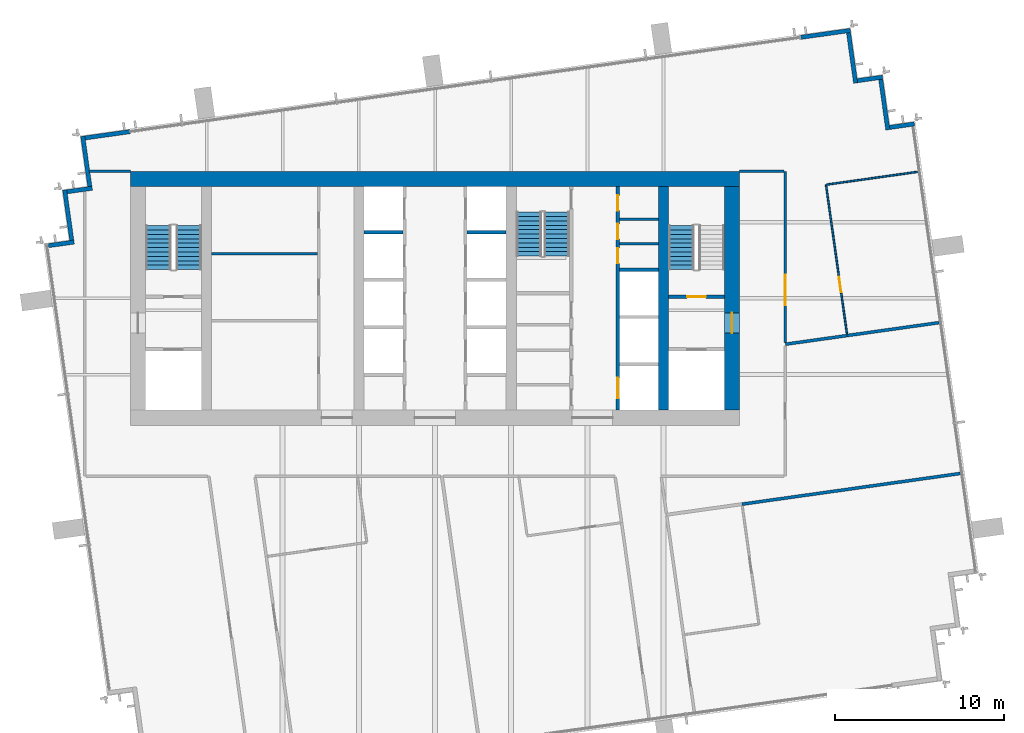
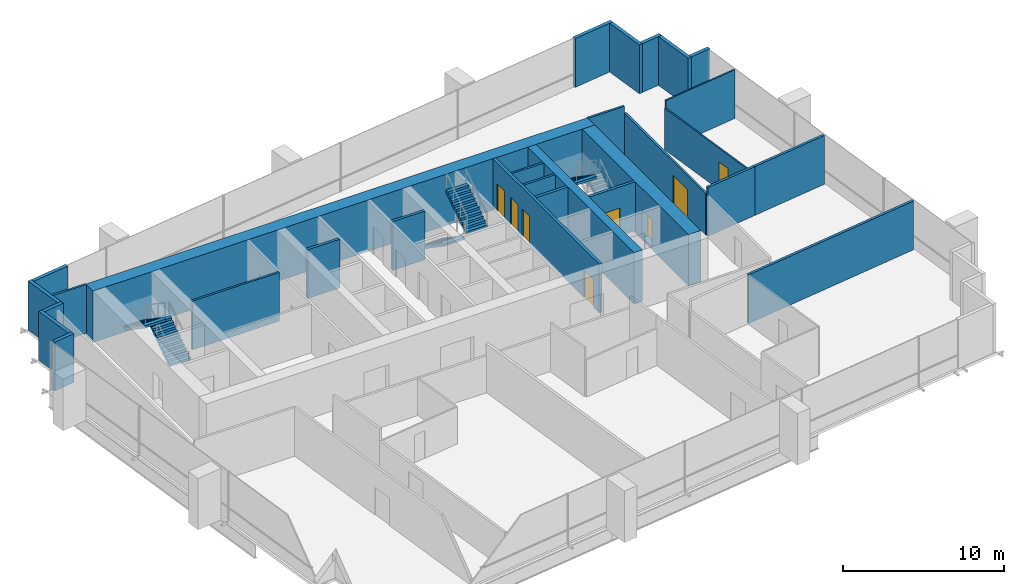
# One storey, part 11 of 13: 29 walls, 8 doors, 5 stair flights, 8 openings, 3 elements without a shape of their own.
"""IFC4 building model written with IfcOpenShell, lengths in metres."""

from ifc_helpers import new_model, si_unit, direction, frame, frame_2d, origin, place, context, subcontext, project, spatial, polyline, rectangle, outline, extrude, material, layer, layer_set, type_object, element, fill, aggregate, save


model = new_model("IFC4")

# Units and contexts
model_context = context("Model", 3, precision=1e-05, world=origin(), true_north=direction((0.0, 1.0)))
body_context = subcontext(model_context, "Body", "Model", "MODEL_VIEW")
ifc_project = project(units=[si_unit("LENGTHUNIT", "METRE"), si_unit("AREAUNIT", "SQUARE_METRE"), si_unit("VOLUMEUNIT", "CUBIC_METRE"), si_unit("PLANEANGLEUNIT", "RADIAN"), si_unit("MASSUNIT", "GRAM", prefix="KILO")], contexts=[model_context])

# Site, building, storey
site_placement = place(None, origin())
site = spatial("IfcSite", under=ifc_project, at=site_placement, CompositionType="ELEMENT")
building_placement = place(site_placement, origin())
building = spatial("IfcBuilding", under=site, at=building_placement, Name="Rattan Terrace Tower", CompositionType="ELEMENT")
storey_placement = place(building_placement, frame((0.0, 0.0, 240.800048828125)))
storey = spatial("IfcBuildingStorey", under=building, at=storey_placement, Name="L55", CompositionType="ELEMENT", Elevation=240.800048828125)

# Walls
ifc_material_1 = material(Name="Gypsum board partition")
ifc_layer_1 = layer(ifc_material_1, 0.14990234375)
ifc_layer_set_1 = layer_set([ifc_layer_1], Name="Core partition 150")
wall_type_1 = type_object("IfcWallType", Name="Core partition 150", PredefinedType="PARTITIONING", material=ifc_layer_set_1)
wall_1_placement = place(storey_placement, frame((-13.199951171875, 2.639892578125, 0.0), z_axis=(0.0, 0.0, 1.0), x_axis=(1.0, 0.0, 0.0)))
element("IfcWall", 1, at=wall_1_placement, inside=storey, type_object=wall_type_1, Name="Core room wall", PredefinedType="PARTITIONING", context=body_context, shape_type="SweptSolid", body=[
    extrude(rectangle(XDim=6.25, YDim=0.14990234375, at=frame_2d((3.125, 0.0))), origin(), (0.0, 0.0, 1.0), 3.699951171875),
])
for number, where, z_axis, x_axis, name in (
    (2, (10.89990234375, 3.239990234375, 0.0), (0.0, 0.0, 1.0), (1.0, 0.0, 0.0), "Riser room wall"),
    (3, (10.89990234375, 4.679931640625, 0.0), (0.0, 0.0, 1.0), (1.0, 0.0, 0.0), "Riser room wall"),
):
    element("IfcWall", number, at=place(storey_placement, frame(where, z_axis=z_axis, x_axis=x_axis)), inside=storey, type_object=wall_type_1, Name=name, PredefinedType="PARTITIONING", context=body_context, shape_type="SweptSolid", body=[
        extrude(rectangle(XDim=2.300048828125, YDim=0.14990234375, at=frame_2d((1.14990234375, 0.0))), origin(), (0.0, 0.0, 1.0), 3.699951171875),
    ])

# Wall, opening, door
ifc_material_2 = material(Name="Gypsum board partition")
ifc_layer_2 = layer(ifc_material_2, 0.199951171875)
ifc_layer_set_2 = layer_set([ifc_layer_2], Name="Core partition 200")
wall_type_2 = type_object("IfcWallType", Name="Core partition 200", PredefinedType="PARTITIONING", material=ifc_layer_set_2)
wall_2_placement = place(storey_placement, frame((13.800048828125, 0.10009765625, 0.0), z_axis=(0.0, 0.0, 1.0), x_axis=(1.0, 0.0, 0.0)))
wall_2 = element("IfcWall", 4, at=wall_2_placement, inside=storey, type_object=wall_type_2, Name="Stair enclosure wall", PredefinedType="PARTITIONING", context=body_context, shape_type="SweptSolid", body=[
    extrude(rectangle(XDim=3.300048828125, YDim=0.199951171875, at=frame_2d((1.64990234375, 0.0))), origin(), (0.0, 0.0, 1.0), 3.699951171875),
])
opening_1_placement = place(wall_2_placement, frame((1.10009765625, 0.0, 0.0)))
opening_1 = element("IfcOpeningElement", 5, at=opening_1_placement, cuts=wall_2, Name="Opening L55-D004", PredefinedType="OPENING", context=body_context, shape_type="SweptSolid", body=[
    extrude(rectangle(XDim=1.10009765625, YDim=2.10009765625, at=frame_2d((0.550048828125, 1.050048828125))), frame((0.0, 0.110595703125, 0.0), z_axis=(0.0, -1.0, 0.0), x_axis=(1.0, 0.0, 0.0)), (0.0, 0.0, 1.0), 0.220947265625),
])
ifc_material_3 = material(Name="Hollow-metal fire door leaf")
door_type_1 = type_object("IfcDoorType", Name="Core stair door 1100", OperationType="NOTDEFINED", PredefinedType="DOOR", material=ifc_material_3)
door_1_placement = place(opening_1_placement, origin())
door_1 = element("IfcDoor", 6, at=door_1_placement, inside=storey, type_object=door_type_1, Name="Door L55-D004", OperationType="SINGLE_SWING_LEFT", OverallHeight=2.10009765625, OverallWidth=1.10009765625, PredefinedType="DOOR", context=body_context, shape_type="SweptSolid", body=[
    extrude(rectangle(XDim=1.10009765625, YDim=2.10009765625, at=frame_2d((0.550048828125, 1.050048828125))), frame((0.0, 0.02490234375, 0.0), z_axis=(0.0, -1.0, 0.0), x_axis=(1.0, 0.0, 0.0)), (0.0, 0.0, 1.0), 0.050048828125),
])
fill(opening_1, door_1)

# Wall
ifc_material_4 = material(Name="Concrete C50/60", Category="concrete")
ifc_layer_3 = layer(ifc_material_4, 0.89990234375)
ifc_layer_set_3 = layer_set([ifc_layer_3], Name="Core ring wall 900 C50/60")
wall_type_3 = type_object("IfcWallType", Name="Core ring wall 900 C50/60", PredefinedType="SHEAR", material=ifc_layer_set_3)
wall_3_placement = place(storey_placement, frame((-18.0, 7.050048828125, -0.199951171875), z_axis=(0.0, 0.0, 1.0), x_axis=(1.0, 0.0, 0.0)))
element("IfcWall", 7, at=wall_3_placement, inside=storey, type_object=wall_type_3, Name="Rear core wall north", PredefinedType="SHEAR", context=body_context, shape_type="SweptSolid", body=[
    extrude(rectangle(XDim=36.0, YDim=0.89990234375, at=frame_2d((18.0, 0.0))), origin(), (0.0, 0.0, 1.0), 3.89990234375),
])

# Wall, opening, door
wall_4_placement = place(storey_placement, frame((17.550048828125, -6.60009765625, -0.199951171875), z_axis=(0.0, 0.0, 1.0), x_axis=(0.0, 1.0, 0.0)))
wall_4 = element("IfcWall", 8, at=wall_4_placement, inside=storey, type_object=wall_type_3, Name="Rear core wall east", PredefinedType="SHEAR", context=body_context, shape_type="SweptSolid", body=[
    extrude(rectangle(XDim=13.2001953125, YDim=0.89990234375, at=frame_2d((6.60009765625, 0.0))), origin(), (0.0, 0.0, 1.0), 3.89990234375),
])
opening_2_placement = place(wall_4_placement, frame((4.550048828125, 0.0, 0.199951171875)))
opening_2 = element("IfcOpeningElement", 9, at=opening_2_placement, cuts=wall_4, Name="Opening L55-D003", PredefinedType="OPENING", context=body_context, shape_type="SweptSolid", body=[
    extrude(rectangle(XDim=1.199951171875, YDim=2.10009765625, at=frame_2d((0.60009765625, 1.050048828125))), frame((0.0, 0.46044921875, 0.0), z_axis=(0.0, -1.0, 0.0), x_axis=(1.0, 0.0, 0.0)), (0.0, 0.0, 1.0), 0.9208984375),
])
ifc_material_5 = material(Name="Hollow-metal fire door leaf")
door_type_2 = type_object("IfcDoorType", Name="Core fire-fighting lobby door 1200", OperationType="NOTDEFINED", PredefinedType="DOOR", material=ifc_material_5)
door_2_placement = place(opening_2_placement, origin())
door_2 = element("IfcDoor", 10, at=door_2_placement, inside=storey, type_object=door_type_2, Name="Door L55-D003", OperationType="SINGLE_SWING_RIGHT", OverallHeight=2.10009765625, OverallWidth=1.199951171875, PredefinedType="DOOR", context=body_context, shape_type="SweptSolid", body=[
    extrude(rectangle(XDim=1.199951171875, YDim=2.10009765625, at=frame_2d((0.60009765625, 1.050048828125))), frame((0.0, 0.02490234375, 0.0), z_axis=(0.0, -1.0, 0.0), x_axis=(1.0, 0.0, 0.0)), (0.0, 0.0, 1.0), 0.050048828125),
])
fill(opening_2, door_2)

# Walls
ifc_material_6 = material(Name="Concrete C50/60", Category="concrete")
ifc_layer_4 = layer(ifc_material_6, 0.60009765625)
ifc_layer_set_4 = layer_set([ifc_layer_4], Name="Core spine wall 600 C50/60")
wall_type_4 = type_object("IfcWallType", Name="Core spine wall 600 C50/60", PredefinedType="SHEAR", material=ifc_layer_set_4)
wall_5_placement = place(storey_placement, frame((13.5, -6.60009765625, -0.199951171875), z_axis=(0.0, 0.0, 1.0), x_axis=(0.0, 1.0, 0.0)))
element("IfcWall", 11, at=wall_5_placement, inside=storey, type_object=wall_type_4, Name="Core spine wall 4", PredefinedType="SHEAR", context=body_context, shape_type="SweptSolid", body=[
    extrude(rectangle(XDim=13.2001953125, YDim=0.60009765625, at=frame_2d((6.60009765625, 0.0))), origin(), (0.0, 0.0, 1.0), 3.89990234375),
])
ifc_material_7 = material(Name="Insulated aluminium-clad stud wall", Category="aluminium")
ifc_layer_5 = layer(ifc_material_7, 0.25)
ifc_layer_set_5 = layer_set([ifc_layer_5], Name="Facade Riser Wall 250")
wall_type_5 = type_object("IfcWallType", Name="Facade Riser Wall 250", PredefinedType="SOLIDWALL", material=ifc_layer_set_5)
wall_6_placement = place(storey_placement, frame((28.322265625, 10.308837890625, 0.0), z_axis=(0.0, 0.0, 1.0), x_axis=(-0.990235520307, -0.13940449893, 0.0)))
element("IfcWall", 12, at=wall_6_placement, inside=storey, type_object=wall_type_5, Name="Riser wall L55-6", PredefinedType="SOLIDWALL", context=body_context, shape_type="SweptSolid", body=[
    extrude(rectangle(XDim=1.474609375, YDim=0.25, at=frame_2d((0.7373046875, 0.0))), origin(), (0.0, 0.0, 1.0), 3.699951171875),
])
wall_7_placement = place(storey_placement, frame((26.755859375, 9.962158203125, 0.0), z_axis=(0.0, 0.0, 1.0), x_axis=(-0.139393225799, 0.990237107263, 0.0)))
element("IfcWall", 13, at=wall_7_placement, inside=storey, type_object=wall_type_5, Name="Riser wall L55-7", PredefinedType="SOLIDWALL", context=body_context, shape_type="SweptSolid", body=[
    extrude(rectangle(XDim=3.000244140625, YDim=0.25, at=frame_2d((1.5, 0.0))), origin(), (0.0, 0.0, 1.0), 3.699951171875),
])
wall_8_placement = place(storey_placement, frame((26.444091796875, 13.074462890625, 0.0), z_axis=(0.0, 0.0, 1.0), x_axis=(-0.990240434918, -0.139369584395, 0.0)))
element("IfcWall", 14, at=wall_8_placement, inside=storey, type_object=wall_type_5, Name="Riser wall L55-8", PredefinedType="SOLIDWALL", context=body_context, shape_type="SweptSolid", body=[
    extrude(rectangle(XDim=1.49951171875, YDim=0.25, at=frame_2d((0.749755859375, 0.0))), origin(), (0.0, 0.0, 1.0), 3.699951171875),
])
wall_9_placement = place(storey_placement, frame((24.852783203125, 12.72412109375, 0.0), z_axis=(0.0, 0.0, 1.0), x_axis=(-0.139302206688, 0.990249915532, 0.0)))
element("IfcWall", 15, at=wall_9_placement, inside=storey, type_object=wall_type_5, Name="Riser wall L55-9", PredefinedType="SOLIDWALL", context=body_context, shape_type="SweptSolid", body=[
    extrude(rectangle(XDim=3.00048828125, YDim=0.25, at=frame_2d((1.500244140625, 0.0))), origin(), (0.0, 0.0, 1.0), 3.699951171875),
])
wall_10_placement = place(storey_placement, frame((24.541015625, 15.83642578125, 0.0), z_axis=(0.0, 0.0, 1.0), x_axis=(-0.990285396533, -0.139049751574, 0.0)))
element("IfcWall", 16, at=wall_10_placement, inside=storey, type_object=wall_type_5, Name="Riser wall L55-10", PredefinedType="SOLIDWALL", context=body_context, shape_type="SweptSolid", body=[
    extrude(rectangle(XDim=2.955078125, YDim=0.25, at=frame_2d((1.4775390625, 0.0))), origin(), (0.0, 0.0, 1.0), 3.699951171875),
])
wall_11_placement = place(storey_placement, frame((-17.995361328125, 9.858642578125, 0.0), z_axis=(0.0, 0.0, 1.0), x_axis=(-0.99024510326, -0.139336411139, 0.0)))
element("IfcWall", 17, at=wall_11_placement, inside=storey, type_object=wall_type_5, Name="Riser wall L55-11", PredefinedType="SOLIDWALL", context=body_context, shape_type="SweptSolid", body=[
    extrude(rectangle(XDim=2.705322265625, YDim=0.25, at=frame_2d((1.3525390625, 0.0))), origin(), (0.0, 0.0, 1.0), 3.699951171875),
])
wall_12_placement = place(storey_placement, frame((-20.8154296875, 9.588134765625, 0.0), z_axis=(0.0, 0.0, 1.0), x_axis=(0.138983028379, -0.9902947631, 0.0)))
element("IfcWall", 18, at=wall_12_placement, inside=storey, type_object=wall_type_5, Name="Riser wall L55-12", PredefinedType="SOLIDWALL", context=body_context, shape_type="SweptSolid", body=[
    extrude(rectangle(XDim=3.000244140625, YDim=0.25, at=frame_2d((1.5, 0.0))), origin(), (0.0, 0.0, 1.0), 3.699951171875),
])
wall_13_placement = place(storey_placement, frame((-20.25732421875, 6.510498046875, 0.0), z_axis=(0.0, 0.0, 1.0), x_axis=(-0.990330117064, -0.138730887823, 0.0)))
element("IfcWall", 19, at=wall_13_placement, inside=storey, type_object=wall_type_5, Name="Riser wall L55-13", PredefinedType="SOLIDWALL", context=body_context, shape_type="SweptSolid", body=[
    extrude(rectangle(XDim=1.499267578125, YDim=0.25, at=frame_2d((0.74951171875, 0.0))), origin(), (0.0, 0.0, 1.0), 3.699951171875),
])
wall_14_placement = place(storey_placement, frame((-21.88330078125, 6.408935546875, 0.0), z_axis=(0.0, 0.0, 1.0), x_axis=(0.139324658755, -0.990246756855, 0.0)))
element("IfcWall", 20, at=wall_14_placement, inside=storey, type_object=wall_type_5, Name="Riser wall L55-14", PredefinedType="SOLIDWALL", context=body_context, shape_type="SweptSolid", body=[
    extrude(rectangle(XDim=3.0, YDim=0.25, at=frame_2d((1.5, 0.0))), origin(), (0.0, 0.0, 1.0), 3.699951171875),
])
wall_15_placement = place(storey_placement, frame((-21.32421875, 3.331787109375, 0.0), z_axis=(0.0, 0.0, 1.0), x_axis=(-0.990238641016, -0.139382329723, 0.0)))
element("IfcWall", 21, at=wall_15_placement, inside=storey, type_object=wall_type_5, Name="Riser wall L55-15", PredefinedType="SOLIDWALL", context=body_context, shape_type="SweptSolid", body=[
    extrude(rectangle(XDim=1.525634765625, YDim=0.25, at=frame_2d((0.7626953125, 0.0))), origin(), (0.0, 0.0, 1.0), 3.699951171875),
])
ifc_material_8 = material(Name="Double steel stud acoustic partition, gypsum board, mineral wool, fire rated", Category="steel")
ifc_layer_6 = layer(ifc_material_8, 0.179931640625)
ifc_layer_set_6 = layer_set([ifc_layer_6], Name="Floors Acoustic Party Wall 180")
wall_type_6 = type_object("IfcWallType", Name="Floors Acoustic Party Wall 180", PredefinedType="PARTITIONING", material=ifc_layer_set_6)
wall_16_placement = place(storey_placement, frame((18.14111328125, -12.156982421875, 0.0), z_axis=(0.0, 0.0, 1.0), x_axis=(0.99026760598, 0.139176393637, 0.0)))
element("IfcWall", 22, at=wall_16_placement, inside=storey, type_object=wall_type_6, Name="pt-L55-022", PredefinedType="PARTITIONING", context=body_context, shape_type="SweptSolid", body=[
    extrude(rectangle(XDim=13.01953125, YDim=0.179931640625, at=frame_2d((6.509765625, 0.0))), origin(), (0.0, 0.0, 1.0), 3.699951171875),
])
wall_17_placement = place(storey_placement, frame((20.698974609375, -2.7080078125, 0.0), z_axis=(0.0, 0.0, 1.0), x_axis=(0.990268752824, 0.139168233375, 0.0)))
element("IfcWall", 23, at=wall_17_placement, inside=storey, type_object=wall_type_6, Name="pt-L55-024", PredefinedType="PARTITIONING", context=body_context, shape_type="SweptSolid", body=[
    extrude(rectangle(XDim=3.671630859375, YDim=0.179931640625, at=frame_2d((1.8359375, 0.0))), origin(), (0.0, 0.0, 1.0), 3.699951171875),
])
wall_18_placement = place(storey_placement, frame((24.3359375, -2.197021484375, 0.0), z_axis=(0.0, 0.0, 1.0), x_axis=(0.990274457527, 0.139127634818, 0.0)))
element("IfcWall", 24, at=wall_18_placement, inside=storey, type_object=wall_type_6, Name="pt-L55-025", PredefinedType="PARTITIONING", context=body_context, shape_type="SweptSolid", body=[
    extrude(rectangle(XDim=5.49951171875, YDim=0.179931640625, at=frame_2d((2.749755859375, 0.0))), origin(), (0.0, 0.0, 1.0), 3.699951171875),
])

# Wall, opening, door
ifc_material_9 = material(Name="Gypsum board partition on steel studs", Category="steel")
ifc_layer_7 = layer(ifc_material_9, 0.10009765625)
ifc_layer_set_7 = layer_set([ifc_layer_7], Name="Floors Partition 100")
wall_type_7 = type_object("IfcWallType", Name="Floors Partition 100", PredefinedType="PARTITIONING", material=ifc_layer_set_7)
wall_19_placement = place(storey_placement, frame((23.10205078125, 6.718017578125, 0.0), z_axis=(0.0, 0.0, 1.0), x_axis=(0.139172960551, -0.990268088475, 0.0)))
wall_19 = element("IfcWall", 25, at=wall_19_placement, inside=storey, type_object=wall_type_7, Name="pt-L55-026", PredefinedType="PARTITIONING", context=body_context, shape_type="SweptSolid", body=[
    extrude(rectangle(XDim=8.90966796875, YDim=0.10009765625, at=frame_2d((4.454833984375, 0.0))), origin(), (0.0, 0.0, 1.0), 3.14990234375),
])
opening_3_placement = place(wall_19_placement, frame((5.507080078125, 0.0, 0.0)))
opening_3 = element("IfcOpeningElement", 26, at=opening_3_placement, cuts=wall_19, Name="Opening L55-D105", PredefinedType="OPENING", context=body_context, shape_type="SweptSolid", body=[
    extrude(rectangle(XDim=0.89990234375, YDim=2.10009765625, at=frame_2d((0.449951171875, 1.050048828125))), frame((0.0, 0.060546875, 0.0), z_axis=(0.0, -1.0, 0.0), x_axis=(1.0, 0.0, 0.0)), (0.0, 0.0, 1.0), 0.12109375),
])
ifc_material_10 = material(Name="Solid core timber door, painted", Category="wood")
door_type_3 = type_object("IfcDoorType", Name="Floors Door 900x2100", OperationType="NOTDEFINED", PredefinedType="DOOR", material=ifc_material_10)
door_3_placement = place(opening_3_placement, origin())
door_3 = element("IfcDoor", 27, at=door_3_placement, inside=storey, type_object=door_type_3, Name="d-L55-105", OperationType="SINGLE_SWING_RIGHT", OverallHeight=2.10009765625, OverallWidth=0.89990234375, PredefinedType="DOOR", context=body_context, shape_type="SweptSolid", body=[
    extrude(rectangle(XDim=0.89990234375, YDim=2.10009765625, at=frame_2d((0.449951171875, 1.050048828125))), frame((0.0, 0.02490234375, 0.0), z_axis=(0.0, -1.0, 0.0), x_axis=(1.0, 0.0, 0.0)), (0.0, 0.0, 1.0), 0.050048828125),
])
fill(opening_3, door_3)

# Walls
wall_20_placement = place(storey_placement, frame((28.528076171875, 7.47998046875, 0.0), z_axis=(0.0, 0.0, 1.0), x_axis=(-0.990284853007, -0.139053622411, 0.0)))
element("IfcWall", 28, at=wall_20_placement, inside=storey, type_object=wall_type_7, Name="pt-L55-027", PredefinedType="PARTITIONING", context=body_context, shape_type="SweptSolid", body=[
    extrude(rectangle(XDim=5.4287109375, YDim=0.10009765625, at=frame_2d((2.71435546875, 0.0))), origin(), (0.0, 0.0, 1.0), 3.699951171875),
])
ifc_material_11 = material(Name="Gypsum board partition on steel studs, fire rated", Category="steel")
ifc_layer_8 = layer(ifc_material_11, 0.14990234375)
ifc_layer_set_8 = layer_set([ifc_layer_8], Name="Floors Tenancy Wall 150")
wall_type_8 = type_object("IfcWallType", Name="Floors Tenancy Wall 150", PredefinedType="PARTITIONING", material=ifc_layer_set_8)
wall_21_placement = place(storey_placement, frame((-20.430908203125, 7.5, 0.0), z_axis=(0.0, 0.0, 1.0), x_axis=(1.0, 0.0, 0.0)))
element("IfcWall", 29, at=wall_21_placement, inside=storey, type_object=wall_type_8, Name="pt-L55-009", PredefinedType="PARTITIONING", context=body_context, shape_type="SweptSolid", body=[
    extrude(rectangle(XDim=2.430908203125, YDim=0.14990234375, at=frame_2d((1.21533203125, 0.0))), origin(), (0.0, 0.0, 1.0), 3.699951171875),
])
wall_22_placement = place(storey_placement, frame((18.0, 7.5009765625, 0.0), z_axis=(0.0, 0.0, 1.0), x_axis=(1.0, 0.0, 0.0)))
element("IfcWall", 30, at=wall_22_placement, inside=storey, type_object=wall_type_8, Name="pt-L55-010", PredefinedType="PARTITIONING", context=body_context, shape_type="SweptSolid", body=[
    extrude(rectangle(XDim=2.625, YDim=0.14990234375, at=frame_2d((1.3125, 0.0))), origin(), (0.0, 0.0, 1.0), 3.699951171875),
])

# Wall, opening, door
wall_23_placement = place(storey_placement, frame((20.699951171875, 7.5, 0.0), z_axis=(0.0, 0.0, 1.0), x_axis=(0.0, -1.0, 0.0)))
wall_23 = element("IfcWall", 31, at=wall_23_placement, inside=storey, type_object=wall_type_8, Name="pt-L55-011", PredefinedType="PARTITIONING", context=body_context, shape_type="SweptSolid", body=[
    extrude(rectangle(XDim=10.10595703125, YDim=0.14990234375, at=frame_2d((5.052978515625, 0.0))), origin(), (0.0, 0.0, 1.0), 3.14990234375),
])
opening_4_placement = place(wall_23_placement, frame((6.10498046875, 0.0, 0.0)))
opening_4 = element("IfcOpeningElement", 32, at=opening_4_placement, cuts=wall_23, Name="Opening L55-D104", PredefinedType="OPENING", context=body_context, shape_type="SweptSolid", body=[
    extrude(rectangle(XDim=1.800048828125, YDim=2.10009765625, at=frame_2d((0.89990234375, 1.050048828125))), frame((0.0, 0.08544921875, 0.0), z_axis=(0.0, -1.0, 0.0), x_axis=(1.0, 0.0, 0.0)), (0.0, 0.0, 1.0), 0.1708984375),
])
ifc_material_12 = material(Name="Steel fire door set", Category="steel")
door_type_4 = type_object("IfcDoorType", Name="Floors Fire Door Pair FD30S 1800x2100", OperationType="NOTDEFINED", PredefinedType="DOOR", material=ifc_material_12)
door_4_placement = place(opening_4_placement, origin())
door_4 = element("IfcDoor", 33, at=door_4_placement, inside=storey, type_object=door_type_4, Name="d-L55-104", OperationType="DOUBLE_DOOR_SINGLE_SWING", OverallHeight=2.10009765625, OverallWidth=1.800048828125, PredefinedType="DOOR", context=body_context, shape_type="SweptSolid", body=[
    extrude(rectangle(XDim=1.800048828125, YDim=2.10009765625, at=frame_2d((0.89990234375, 1.050048828125))), frame((0.0, 0.02490234375, 0.0), z_axis=(0.0, -1.0, 0.0), x_axis=(1.0, 0.0, 0.0)), (0.0, 0.0, 1.0), 0.050048828125),
])
fill(opening_4, door_4)

# Walls
ifc_material_13 = material(Name="Gypsum shaft wall system")
ifc_layer_9 = layer(ifc_material_13, 0.199951171875)
ifc_layer_set_9 = layer_set([ifc_layer_9], Name="Lift shaft wall 200")
wall_type_9 = type_object("IfcWallType", Name="Lift shaft wall 200", PredefinedType="PARTITIONING", material=ifc_layer_set_9)
for number, where, z_axis, x_axis, name in (
    (34, (-4.199951171875, 3.89990234375, 0.0), (0.0, 0.0, 1.0), (1.0, 0.0, 0.0), "Lift shaft wall"),
    (35, (1.89990234375, 3.89990234375, 0.0), (0.0, 0.0, 1.0), (1.0, 0.0, 0.0), "Lift shaft wall"),
):
    element("IfcWall", number, at=place(storey_placement, frame(where, z_axis=z_axis, x_axis=x_axis)), inside=storey, type_object=wall_type_9, Name=name, PredefinedType="PARTITIONING", context=body_context, shape_type="SweptSolid", body=[
        extrude(rectangle(XDim=2.300048828125, YDim=0.199951171875, at=frame_2d((1.14990234375, 0.0))), origin(), (0.0, 0.0, 1.0), 3.699951171875),
    ])

# Wall, openings, doors
wall_24_placement = place(storey_placement, frame((10.800048828125, -6.60009765625, 0.0), z_axis=(0.0, 0.0, 1.0), x_axis=(0.0, 1.0, 0.0)))
wall_24 = element("IfcWall", 36, at=wall_24_placement, inside=storey, type_object=wall_type_9, Name="Lift shaft front wall", PredefinedType="PARTITIONING", context=body_context, shape_type="SweptSolid", body=[
    extrude(rectangle(XDim=13.2001953125, YDim=0.199951171875, at=frame_2d((6.60009765625, 0.0))), origin(), (0.0, 0.0, 1.0), 3.699951171875),
])
opening_5_placement = place(wall_24_placement, frame((0.699951171875, 0.0, 0.0)))
opening_5 = element("IfcOpeningElement", 37, at=opening_5_placement, cuts=wall_24, Name="Opening L55-LD-SV1", PredefinedType="OPENING", context=body_context, shape_type="SweptSolid", body=[
    extrude(rectangle(XDim=1.199951171875, YDim=2.10009765625, at=frame_2d((0.60009765625, 1.050048828125))), frame((0.0, 0.110595703125, 0.0), z_axis=(0.0, -1.0, 0.0), x_axis=(1.0, 0.0, 0.0)), (0.0, 0.0, 1.0), 0.220947265625),
])
opening_6_placement = place(wall_24_placement, frame((8.669921875, 0.0, 0.0)))
opening_6 = element("IfcOpeningElement", 38, at=opening_6_placement, cuts=wall_24, Name="Opening L55-D018", PredefinedType="OPENING", context=body_context, shape_type="SweptSolid", body=[
    extrude(rectangle(XDim=0.89990234375, YDim=2.10009765625, at=frame_2d((0.449951171875, 1.050048828125))), frame((0.0, 0.110595703125, 0.0), z_axis=(0.0, -1.0, 0.0), x_axis=(1.0, 0.0, 0.0)), (0.0, 0.0, 1.0), 0.220947265625),
])
opening_7_placement = place(wall_24_placement, frame((10.110107421875, 0.0, 0.0)))
opening_7 = element("IfcOpeningElement", 39, at=opening_7_placement, cuts=wall_24, Name="Opening L55-D019", PredefinedType="OPENING", context=body_context, shape_type="SweptSolid", body=[
    extrude(rectangle(XDim=0.89990234375, YDim=2.10009765625, at=frame_2d((0.449951171875, 1.050048828125))), frame((0.0, 0.110595703125, 0.0), z_axis=(0.0, -1.0, 0.0), x_axis=(1.0, 0.0, 0.0)), (0.0, 0.0, 1.0), 0.220947265625),
])
opening_8_placement = place(wall_24_placement, frame((11.7900390625, 0.0, 0.0)))
opening_8 = element("IfcOpeningElement", 40, at=opening_8_placement, cuts=wall_24, Name="Opening L55-D020", PredefinedType="OPENING", context=body_context, shape_type="SweptSolid", body=[
    extrude(rectangle(XDim=0.89990234375, YDim=2.10009765625, at=frame_2d((0.449951171875, 1.050048828125))), frame((0.0, 0.110595703125, 0.0), z_axis=(0.0, -1.0, 0.0), x_axis=(1.0, 0.0, 0.0)), (0.0, 0.0, 1.0), 0.220947265625),
])
ifc_material_14 = material(Name="Brushed stainless landing door panel")
door_type_5 = type_object("IfcDoorType", Name="Core lift landing door 1200", OperationType="DOUBLE_DOOR_SLIDING", PredefinedType="DOOR", material=ifc_material_14)
door_5_placement = place(opening_5_placement, origin())
door_5 = element("IfcDoor", 41, at=door_5_placement, inside=storey, type_object=door_type_5, Name="Door L55-LD-SV1", OperationType="DOUBLE_DOOR_SLIDING", OverallHeight=2.10009765625, OverallWidth=1.199951171875, PredefinedType="DOOR", context=body_context, shape_type="SweptSolid", body=[
    extrude(rectangle(XDim=1.199951171875, YDim=2.10009765625, at=frame_2d((0.60009765625, 1.050048828125))), frame((0.0, 0.02490234375, 0.0), z_axis=(0.0, -1.0, 0.0), x_axis=(1.0, 0.0, 0.0)), (0.0, 0.0, 1.0), 0.050048828125),
])
fill(opening_5, door_5)
ifc_material_15 = material(Name="Hollow-metal fire door leaf")
door_type_6 = type_object("IfcDoorType", Name="Core riser door 900", OperationType="NOTDEFINED", PredefinedType="DOOR", material=ifc_material_15)
door_6_placement = place(opening_6_placement, origin())
door_6 = element("IfcDoor", 42, at=door_6_placement, inside=storey, type_object=door_type_6, Name="Door L55-D018", OperationType="SINGLE_SWING_LEFT", OverallHeight=2.10009765625, OverallWidth=0.89990234375, PredefinedType="DOOR", context=body_context, shape_type="SweptSolid", body=[
    extrude(rectangle(XDim=0.89990234375, YDim=2.10009765625, at=frame_2d((0.449951171875, 1.050048828125))), frame((0.0, 0.02490234375, 0.0), z_axis=(0.0, -1.0, 0.0), x_axis=(1.0, 0.0, 0.0)), (0.0, 0.0, 1.0), 0.050048828125),
])
fill(opening_6, door_6)
door_7_placement = place(opening_7_placement, origin())
door_7 = element("IfcDoor", 43, at=door_7_placement, inside=storey, type_object=door_type_6, Name="Door L55-D019", OperationType="SINGLE_SWING_RIGHT", OverallHeight=2.10009765625, OverallWidth=0.89990234375, PredefinedType="DOOR", context=body_context, shape_type="SweptSolid", body=[
    extrude(rectangle(XDim=0.89990234375, YDim=2.10009765625, at=frame_2d((0.449951171875, 1.050048828125))), frame((0.0, 0.02490234375, 0.0), z_axis=(0.0, -1.0, 0.0), x_axis=(1.0, 0.0, 0.0)), (0.0, 0.0, 1.0), 0.050048828125),
])
fill(opening_7, door_7)
ifc_material_16 = material(Name="Hollow-metal fire door leaf")
door_type_7 = type_object("IfcDoorType", Name="Core service room door 900", OperationType="NOTDEFINED", PredefinedType="DOOR", material=ifc_material_16)
door_8_placement = place(opening_8_placement, origin())
door_8 = element("IfcDoor", 44, at=door_8_placement, inside=storey, type_object=door_type_7, Name="Door L55-D020", OperationType="SINGLE_SWING_LEFT", OverallHeight=2.10009765625, OverallWidth=0.89990234375, PredefinedType="DOOR", context=body_context, shape_type="SweptSolid", body=[
    extrude(rectangle(XDim=0.89990234375, YDim=2.10009765625, at=frame_2d((0.449951171875, 1.050048828125))), frame((0.0, 0.02490234375, 0.0), z_axis=(0.0, -1.0, 0.0), x_axis=(1.0, 0.0, 0.0)), (0.0, 0.0, 1.0), 0.050048828125),
])
fill(opening_8, door_8)

# Wall
wall_25_placement = place(storey_placement, frame((10.89990234375, 1.699951171875, 0.0), z_axis=(0.0, 0.0, 1.0), x_axis=(1.0, 0.0, 0.0)))
element("IfcWall", 45, at=wall_25_placement, inside=storey, type_object=wall_type_9, Name="Lift shaft wall", PredefinedType="PARTITIONING", context=body_context, shape_type="SweptSolid", body=[
    extrude(rectangle(XDim=2.300048828125, YDim=0.199951171875, at=frame_2d((1.14990234375, 0.0))), origin(), (0.0, 0.0, 1.0), 3.699951171875),
])

# Stair, stair flights
ifc_material_17 = material(Name="Concrete C40/50", Category="concrete")
stair_type = type_object("IfcStairType", Name="Core exit stair 1500", PredefinedType="HALF_TURN_STAIR", material=ifc_material_17)
stair_1_placement = place(storey_placement, origin())
stair_1 = element("IfcStair", 46, at=stair_1_placement, inside=storey, type_object=stair_type, Name="L55 exit stair 1", PredefinedType="HALF_TURN_STAIR")
ifc_material_18 = material(Name="Concrete C40/50", Category="concrete")
stair_flight_type = type_object("IfcStairFlightType", Name="Core exit stair flight 1500", PredefinedType="STRAIGHT", material=ifc_material_18)
stair_flight_1_placement = place(storey_placement, frame((-14.550048828125, 1.699951171875, 0.0), z_axis=(0.0, 0.0, 1.0), x_axis=(0.0, 1.0, 0.0)))
stair_flight_1 = element("IfcStairFlight", 47, at=stair_flight_1_placement, type_object=stair_flight_type, Name="S1 flight 1", NumberOfRisers=11, NumberOfTreads=10, PredefinedType="STRAIGHT", RiserHeight=0.177272727, TreadLength=0.26, context=body_context, shape_type="SweptSolid", body=[
    extrude(outline(polyline([(0.0, 0.0), (0.0, 0.17724609375), (0.260009765625, 0.17724609375), (0.260009765625, 0.3544921875), (0.52001953125, 0.3544921875), (0.52001953125, 0.53173828125), (0.780029296875, 0.53173828125), (0.780029296875, 0.708984375), (1.0400390625, 0.708984375), (1.0400390625, 0.886474609375), (1.300048828125, 0.886474609375), (1.300048828125, 1.063720703125), (1.56005859375, 1.063720703125), (1.56005859375, 1.240966796875), (1.820068359375, 1.240966796875), (1.820068359375, 1.418212890625), (2.080078125, 1.418212890625), (2.080078125, 1.595458984375), (2.340087890625, 1.595458984375), (2.340087890625, 1.772705078125), (2.60009765625, 1.772705078125), (2.60009765625, 1.949951171875), (2.60009765625, 1.59130859375), (0.26611328125, 0.0), (0.0, 0.0)])), frame((0.0, 0.75, 0.0), z_axis=(0.0, -1.0, 0.0), x_axis=(1.0, 0.0, 0.0)), (0.0, 0.0, 1.0), 1.5),
])
stair_flight_2_placement = place(storey_placement, frame((-16.35009765625, 4.300048828125, 1.949951171875), z_axis=(0.0, 0.0, 1.0), x_axis=(0.0, -1.0, 0.0)))
stair_flight_2 = element("IfcStairFlight", 48, at=stair_flight_2_placement, type_object=stair_flight_type, Name="S1 flight 2", NumberOfRisers=11, NumberOfTreads=10, PredefinedType="STRAIGHT", RiserHeight=0.177272727, TreadLength=0.26, context=body_context, shape_type="SweptSolid", body=[
    extrude(outline(polyline([(0.0, 0.0), (0.0, 0.17724609375), (0.260009765625, 0.17724609375), (0.260009765625, 0.3544921875), (0.52001953125, 0.3544921875), (0.52001953125, 0.53173828125), (0.780029296875, 0.53173828125), (0.780029296875, 0.708984375), (1.0400390625, 0.708984375), (1.0400390625, 0.886474609375), (1.300048828125, 0.886474609375), (1.300048828125, 1.063720703125), (1.56005859375, 1.063720703125), (1.56005859375, 1.240966796875), (1.820068359375, 1.240966796875), (1.820068359375, 1.418212890625), (2.080078125, 1.418212890625), (2.080078125, 1.595458984375), (2.340087890625, 1.595458984375), (2.340087890625, 1.772705078125), (2.60009765625, 1.772705078125), (2.60009765625, 1.949951171875), (2.60009765625, 1.59130859375), (0.26611328125, 0.0), (0.0, 0.0)])), frame((0.0, 0.75, 0.0), z_axis=(0.0, -1.0, 0.0), x_axis=(1.0, 0.0, 0.0)), (0.0, 0.0, 1.0), 1.5),
])
aggregate(stair_1, [stair_flight_1, stair_flight_2])

# Stair, stair flight
stair_2_placement = place(storey_placement, origin())
stair_2 = element("IfcStair", 49, at=stair_2_placement, inside=storey, type_object=stair_type, Name="L55 exit stair 2", PredefinedType="HALF_TURN_STAIR")
stair_flight_3_placement = place(storey_placement, frame((14.550048828125, 4.300048828125, 1.949951171875), z_axis=(0.0, 0.0, 1.0), x_axis=(0.0, -1.0, 0.0)))
stair_flight_3 = element("IfcStairFlight", 50, at=stair_flight_3_placement, type_object=stair_flight_type, Name="S2 flight 2", NumberOfRisers=11, NumberOfTreads=10, PredefinedType="STRAIGHT", RiserHeight=0.177272727, TreadLength=0.26, context=body_context, shape_type="SweptSolid", body=[
    extrude(outline(polyline([(0.0, 0.0), (0.0, 0.17724609375), (0.260009765625, 0.17724609375), (0.260009765625, 0.3544921875), (0.52001953125, 0.3544921875), (0.52001953125, 0.53173828125), (0.780029296875, 0.53173828125), (0.780029296875, 0.708984375), (1.0400390625, 0.708984375), (1.0400390625, 0.886474609375), (1.300048828125, 0.886474609375), (1.300048828125, 1.063720703125), (1.56005859375, 1.063720703125), (1.56005859375, 1.240966796875), (1.820068359375, 1.240966796875), (1.820068359375, 1.418212890625), (2.080078125, 1.418212890625), (2.080078125, 1.595458984375), (2.340087890625, 1.595458984375), (2.340087890625, 1.772705078125), (2.60009765625, 1.772705078125), (2.60009765625, 1.949951171875), (2.60009765625, 1.59130859375), (0.26611328125, 0.0), (0.0, 0.0)])), frame((0.0, 0.75, 0.0), z_axis=(0.0, -1.0, 0.0), x_axis=(1.0, 0.0, 0.0)), (0.0, 0.0, 1.0), 1.5),
])
aggregate(stair_2, [stair_flight_3])

# Stair, stair flights
stair_3_placement = place(storey_placement, origin())
stair_3 = element("IfcStair", 51, at=stair_3_placement, inside=storey, type_object=stair_type, Name="L55 exit stair 3", PredefinedType="HALF_TURN_STAIR")
stair_flight_4_placement = place(storey_placement, frame((5.550048828125, 5.10009765625, 0.0), z_axis=(0.0, 0.0, 1.0), x_axis=(0.0, -1.0, 0.0)))
stair_flight_4 = element("IfcStairFlight", 52, at=stair_flight_4_placement, type_object=stair_flight_type, Name="S3 flight 1", NumberOfRisers=11, NumberOfTreads=10, PredefinedType="STRAIGHT", RiserHeight=0.177272727, TreadLength=0.26, context=body_context, shape_type="SweptSolid", body=[
    extrude(outline(polyline([(0.0, 0.0), (0.0, 0.17724609375), (0.260009765625, 0.17724609375), (0.260009765625, 0.3544921875), (0.52001953125, 0.3544921875), (0.52001953125, 0.53173828125), (0.780029296875, 0.53173828125), (0.780029296875, 0.708984375), (1.0400390625, 0.708984375), (1.0400390625, 0.886474609375), (1.300048828125, 0.886474609375), (1.300048828125, 1.063720703125), (1.56005859375, 1.063720703125), (1.56005859375, 1.240966796875), (1.820068359375, 1.240966796875), (1.820068359375, 1.418212890625), (2.080078125, 1.418212890625), (2.080078125, 1.595458984375), (2.340087890625, 1.595458984375), (2.340087890625, 1.772705078125), (2.60009765625, 1.772705078125), (2.60009765625, 1.949951171875), (2.60009765625, 1.59130859375), (0.26611328125, 0.0), (0.0, 0.0)])), frame((0.0, 0.75, 0.0), z_axis=(0.0, -1.0, 0.0), x_axis=(1.0, 0.0, 0.0)), (0.0, 0.0, 1.0), 1.5),
])
stair_flight_5_placement = place(storey_placement, frame((7.199951171875, 2.5, 1.949951171875), z_axis=(0.0, 0.0, 1.0), x_axis=(0.0, 1.0, 0.0)))
stair_flight_5 = element("IfcStairFlight", 53, at=stair_flight_5_placement, type_object=stair_flight_type, Name="S3 flight 2", NumberOfRisers=11, NumberOfTreads=10, PredefinedType="STRAIGHT", RiserHeight=0.177272727, TreadLength=0.26, context=body_context, shape_type="SweptSolid", body=[
    extrude(outline(polyline([(0.0, 0.0), (0.0, 0.17724609375), (0.260009765625, 0.17724609375), (0.260009765625, 0.3544921875), (0.52001953125, 0.3544921875), (0.52001953125, 0.53173828125), (0.780029296875, 0.53173828125), (0.780029296875, 0.708984375), (1.0400390625, 0.708984375), (1.0400390625, 0.886474609375), (1.300048828125, 0.886474609375), (1.300048828125, 1.063720703125), (1.56005859375, 1.063720703125), (1.56005859375, 1.240966796875), (1.820068359375, 1.240966796875), (1.820068359375, 1.418212890625), (2.080078125, 1.418212890625), (2.080078125, 1.595458984375), (2.340087890625, 1.595458984375), (2.340087890625, 1.772705078125), (2.60009765625, 1.772705078125), (2.60009765625, 1.949951171875), (2.60009765625, 1.59130859375), (0.26611328125, 0.0), (0.0, 0.0)])), frame((0.0, 0.75, 0.0), z_axis=(0.0, -1.0, 0.0), x_axis=(1.0, 0.0, 0.0)), (0.0, 0.0, 1.0), 1.5),
])
aggregate(stair_3, [stair_flight_4, stair_flight_5])

save(model, "model.ifc")
